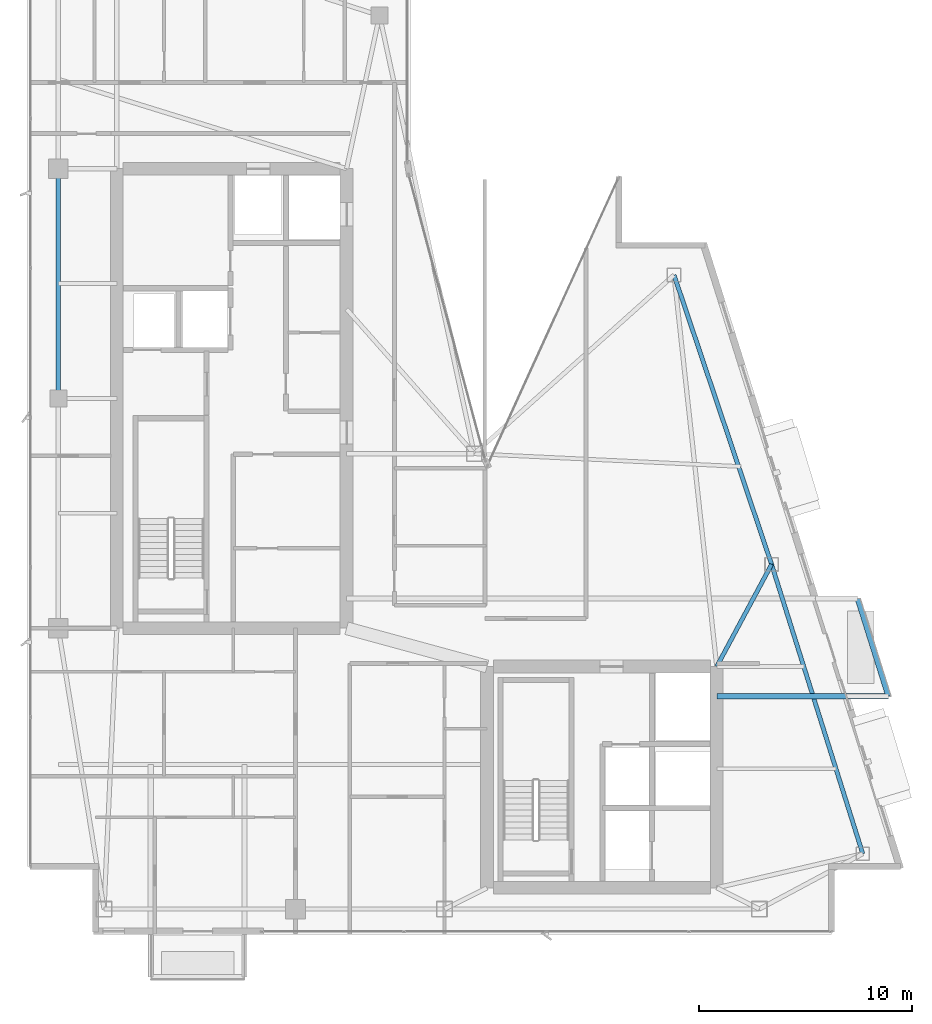
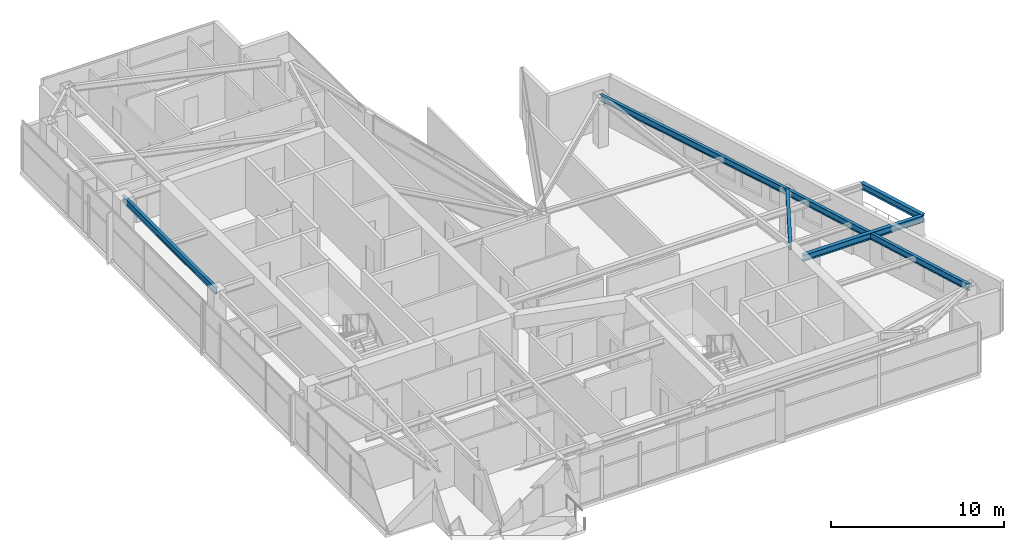
# One storey, part 15 of 27: 6 beams.
"""IFC4 building model written with IfcOpenShell, lengths in metres."""

from ifc_helpers import new_model, si_unit, direction, frame, origin, origin_2d, place, context, subcontext, project, spatial, i_section, extrude, material, material_profile, profile_set, type_object, element, save


model = new_model("IFC4")

# Units and contexts
model_context = context("Model", 3, precision=1e-05, world=origin(), true_north=direction((0.0, 1.0)))
body_context = subcontext(model_context, "Body", "Model", "MODEL_VIEW")
ifc_project = project(units=[si_unit("LENGTHUNIT", "METRE"), si_unit("AREAUNIT", "SQUARE_METRE"), si_unit("VOLUMEUNIT", "CUBIC_METRE"), si_unit("PLANEANGLEUNIT", "RADIAN"), si_unit("MASSUNIT", "GRAM", prefix="KILO")], contexts=[model_context])

# Site, building, storey
site_placement = place(None, origin())
site = spatial("IfcSite", under=ifc_project, at=site_placement, CompositionType="ELEMENT")
building_placement = place(site_placement, origin())
building = spatial("IfcBuilding", under=site, at=building_placement, Name="Calvorn Quay Hotel", CompositionType="ELEMENT")
storey_placement = place(building_placement, frame((0.0, 0.0, 294.89990234375)))
storey = spatial("IfcBuildingStorey", under=building, at=storey_placement, Name="L73", CompositionType="ELEMENT", Elevation=294.89990234375)

# Beams
ifc_material_1 = material(Name="Steel Q355B", Category="steel")
ifc_material_profile_1 = material_profile(ifc_material_1, i_section(OverallWidth=0.25, OverallDepth=0.449951171875, WebThickness=0.011962890625, FlangeThickness=0.01611328125, FilletRadius=0.01611328125, at=origin_2d()), Name="HN450x250x12x16")
ifc_profile_set_1 = profile_set([ifc_material_profile_1], Name="Steel Q355B")
beam_type_1 = type_object("IfcBeamType", Name="BM-CANT-BALC", PredefinedType="BEAM", material=ifc_profile_set_1)
beam_1_placement = place(storey_placement, frame((32.39990234375, 13.60009765625, 3.315185546875), z_axis=(1.0, 0.0, 0.0), x_axis=(0.0, 1.0, 0.0)))
element("IfcBeam", 1, at=beam_1_placement, inside=storey, type_object=beam_type_1, Name="Cantilever Balcony Beam BCB-L74-1A", PredefinedType="BEAM", context=body_context, shape_type="SweptSolid", body=[
    extrude(i_section(OverallWidth=0.25, OverallDepth=0.449951171875, WebThickness=0.011962890625, FlangeThickness=0.01611328125, FilletRadius=0.01611328125, at=origin_2d()), origin(), (0.0, 0.0, 1.0), 8.069091796875),
])
beam_2_placement = place(storey_placement, frame((40.468994140625, 13.60009765625, 3.315185546875), z_axis=(-0.300450487966, 0.953797412599, 0.0), x_axis=(-0.953797412599, -0.300450487966, 0.0)))
element("IfcBeam", 2, at=beam_2_placement, inside=storey, type_object=beam_type_1, Name="Beam BCBO-L74-1", PredefinedType="BEAM", context=body_context, shape_type="SweptSolid", body=[
    extrude(i_section(OverallWidth=0.25, OverallDepth=0.449951171875, WebThickness=0.011962890625, FlangeThickness=0.01611328125, FilletRadius=0.01611328125, at=origin_2d()), origin(), (0.0, 0.0, 1.0), 4.82275390625),
])
ifc_material_2 = material(Name="Steel Q355B", Category="steel")
ifc_material_profile_2 = material_profile(ifc_material_2, i_section(OverallWidth=0.199951171875, OverallDepth=0.550048828125, WebThickness=0.010009765625, FlangeThickness=0.01611328125, FilletRadius=0.01806640625, at=origin_2d()), Name="HN550x200x10x16")
ifc_profile_set_2 = profile_set([ifc_material_profile_2], Name="Steel Q355B")
beam_type_2 = type_object("IfcBeamType", Name="BM-GIRD-UPP", PredefinedType="BEAM", material=ifc_profile_set_2)
beam_3_placement = place(storey_placement, frame((32.39990234375, 15.0, 3.26513671875), z_axis=(0.472894086188, 0.881119278672, 0.0), x_axis=(-0.881119278672, 0.472894086188, 0.0)))
element("IfcBeam", 3, at=beam_3_placement, inside=storey, type_object=beam_type_2, Name="Beam BG-L73-E2", PredefinedType="BEAM", context=body_context, shape_type="SweptSolid", body=[
    extrude(i_section(OverallWidth=0.199951171875, OverallDepth=0.550048828125, WebThickness=0.010009765625, FlangeThickness=0.01611328125, FilletRadius=0.01806640625, at=origin_2d()), origin(), (0.0, 0.0, 1.0), 5.44775390625),
])
ifc_material_3 = material(Name="Steel Q355B", Category="steel")
ifc_material_profile_3 = material_profile(ifc_material_3, i_section(OverallWidth=0.199951171875, OverallDepth=0.449951171875, WebThickness=0.009033203125, FlangeThickness=0.013916015625, FilletRadius=0.01611328125, at=origin_2d()), Name="HN450x200x9x14")
ifc_profile_set_3 = profile_set([ifc_material_profile_3], Name="Steel Q355B")
beam_type_3 = type_object("IfcBeamType", Name="BM-SPANDREL-Z3", PredefinedType="SPANDREL", material=ifc_profile_set_3)
beam_4_placement = place(storey_placement, frame((1.449951171875, 27.60009765625, 3.315185546875), z_axis=(0.0, 1.0, 0.0), x_axis=(-1.0, 0.0, 0.0)))
element("IfcBeam", 4, at=beam_4_placement, inside=storey, type_object=beam_type_3, Name="Beam BSP-L73-W3", PredefinedType="SPANDREL", context=body_context, shape_type="SweptSolid", body=[
    extrude(i_section(OverallWidth=0.199951171875, OverallDepth=0.449951171875, WebThickness=0.009033203125, FlangeThickness=0.013916015625, FilletRadius=0.01611328125, at=origin_2d()), origin(), (0.0, 0.0, 1.0), 10.7998046875),
])
beam_5_placement = place(storey_placement, frame((39.260986328125, 6.199951171875, 3.315185546875), z_axis=(-0.300502802767, 0.953780931624, 0.0), x_axis=(-0.953780931624, -0.300502802767, 0.0)))
element("IfcBeam", 5, at=beam_5_placement, inside=storey, type_object=beam_type_3, Name="Beam BSP-L73-E1", PredefinedType="SPANDREL", context=body_context, shape_type="SweptSolid", body=[
    extrude(i_section(OverallWidth=0.199951171875, OverallDepth=0.449951171875, WebThickness=0.009033203125, FlangeThickness=0.013916015625, FilletRadius=0.01611328125, at=origin_2d()), origin(), (0.0, 0.0, 1.0), 14.259033203125),
])
beam_6_placement = place(storey_placement, frame((34.97607421875, 19.800048828125, 3.315185546875), z_axis=(-0.319466515944, 0.947597564998, 0.0), x_axis=(-0.947597564998, -0.319466515944, 0.0)))
element("IfcBeam", 6, at=beam_6_placement, inside=storey, type_object=beam_type_3, Name="Beam BSP-L73-E2", PredefinedType="SPANDREL", context=body_context, shape_type="SweptSolid", body=[
    extrude(i_section(OverallWidth=0.199951171875, OverallDepth=0.449951171875, WebThickness=0.009033203125, FlangeThickness=0.013916015625, FilletRadius=0.01611328125, at=origin_2d()), origin(), (0.0, 0.0, 1.0), 14.35205078125),
])

save(model, "model.ifc")
